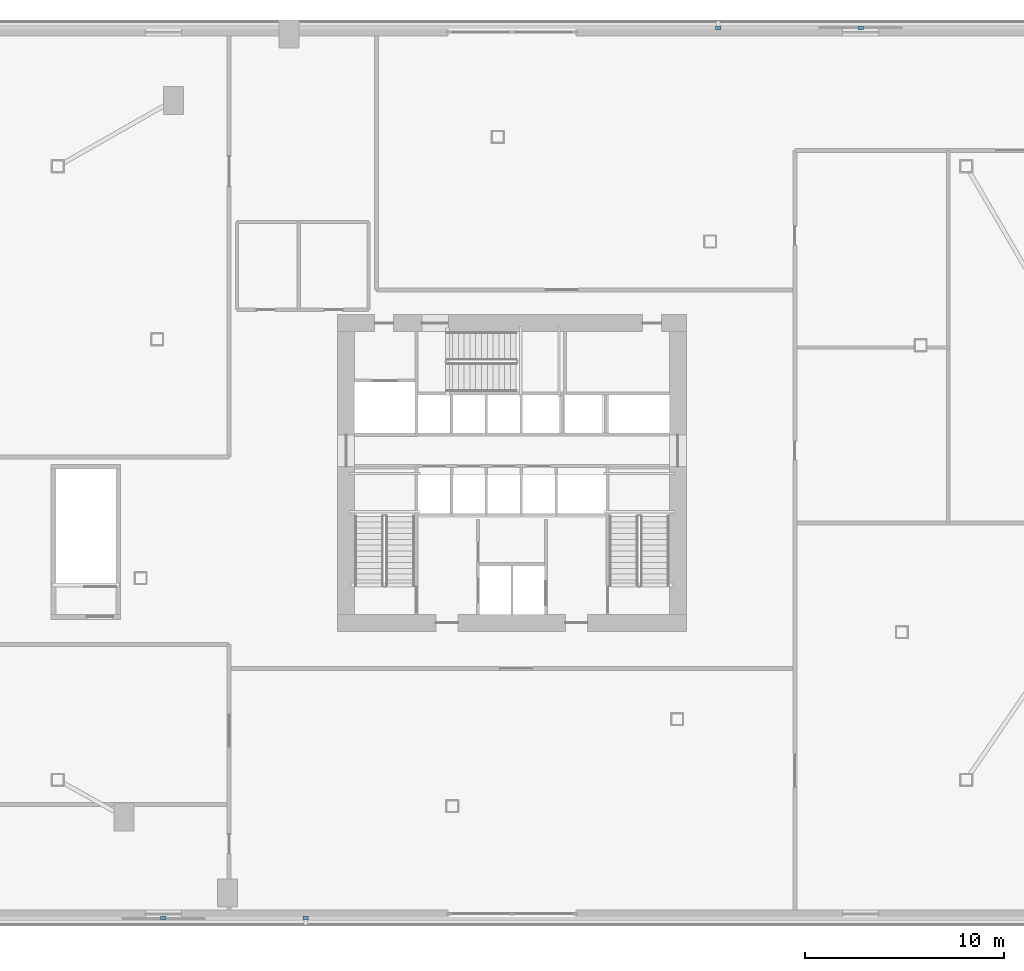
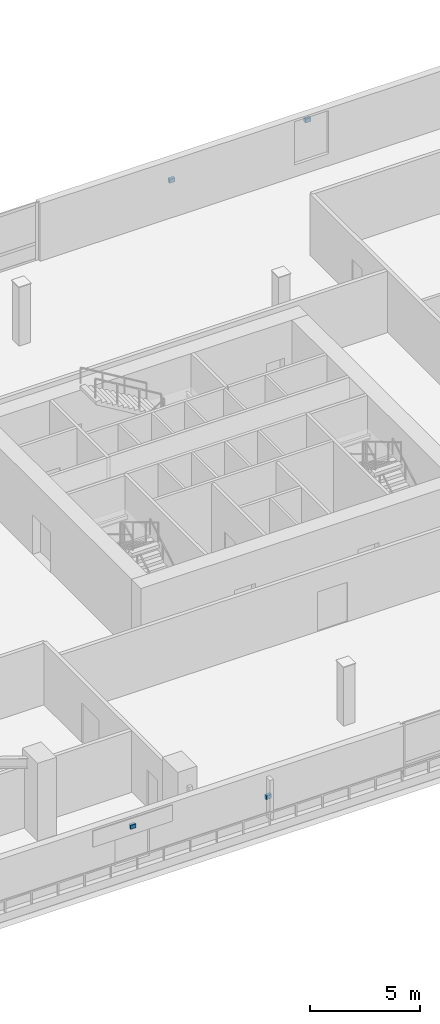
# One storey, part 11 of 16: 4 discrete accessories.
"""IFC4 building model written with IfcOpenShell, lengths in metres."""

from ifc_helpers import new_model, si_unit, direction, frame, origin, origin_2d, place, context, subcontext, project, spatial, rectangle, extrude, source, transform, mapped, material, type_object, element, save


model = new_model("IFC4")

# Units and contexts
model_context = context("Model", 3, precision=1e-05, world=origin(), true_north=direction((0.0, 1.0)))
body_context = subcontext(model_context, "Body", "Model", "MODEL_VIEW")
ifc_project = project(units=[si_unit("LENGTHUNIT", "METRE"), si_unit("AREAUNIT", "SQUARE_METRE"), si_unit("VOLUMEUNIT", "CUBIC_METRE"), si_unit("PLANEANGLEUNIT", "RADIAN"), si_unit("MASSUNIT", "GRAM", prefix="KILO")], contexts=[model_context])

# Site, building, storey
site_placement = place(None, origin())
site = spatial("IfcSite", under=ifc_project, at=site_placement, CompositionType="ELEMENT")
building_placement = place(site_placement, origin())
building = spatial("IfcBuilding", under=site, at=building_placement, Name="Olszyna Solenne Hotel", CompositionType="ELEMENT")
storey_placement = place(building_placement, frame((0.0, 0.0, 20.10009765625)))
storey = spatial("IfcBuildingStorey", under=building, at=storey_placement, Name="L04", CompositionType="ELEMENT", Elevation=20.10009765625)

# Discrete accessories
ifc_material = material(Name="Steel S355J2", Category="steel")
discrete_accessory_type = type_object("IfcDiscreteAccessoryType", Name="BRK-01", PredefinedType="BRACKET", material=ifc_material)
shared_shape = source(origin(), body_context, "Body", "SweptSolid", [
    extrude(rectangle(XDim=0.280029296875, YDim=0.159912109375, at=origin_2d()), origin(), (0.0, 0.0, 1.0), 0.219970703125),
])
for number, where, z_axis, x_axis, name in (
    (1, (20.5, 4.264892578125, 2.5400390625), (0.0, 0.0, 1.0), (-1.0, 0.0, 0.0), "Facade support bracket BRK-CD-L04-SW"),
    (2, (27.64990234375, 4.264892578125, 1.68994140625), (0.0, 0.0, 1.0), (-1.0, 0.0, 0.0), "Facade support bracket BRK-FN-L04-SW"),
    (3, (55.5, 48.93505859375, 2.5400390625), (0.0, 0.0, 1.0), (1.0, 0.0, 0.0), "Facade support bracket BRK-CD-L04-NE"),
    (4, (48.35009765625, 48.93505859375, 1.68994140625), (0.0, 0.0, 1.0), (1.0, 0.0, 0.0), "Facade support bracket BRK-FN-L04-NE"),
):
    element("IfcDiscreteAccessory", number, at=place(storey_placement, frame(where, z_axis=z_axis, x_axis=x_axis)), inside=storey, type_object=discrete_accessory_type, Name=name, PredefinedType="BRACKET", context=body_context, shape_type="MappedRepresentation", body=[
        mapped(shared_shape, transform((0.0, 0.0, 0.0), x_axis=(1.0, 0.0, 0.0), y_axis=(0.0, 1.0, 0.0), z_axis=(0.0, 0.0, 1.0), scale=1.0)),
    ])

save(model, "model.ifc")
